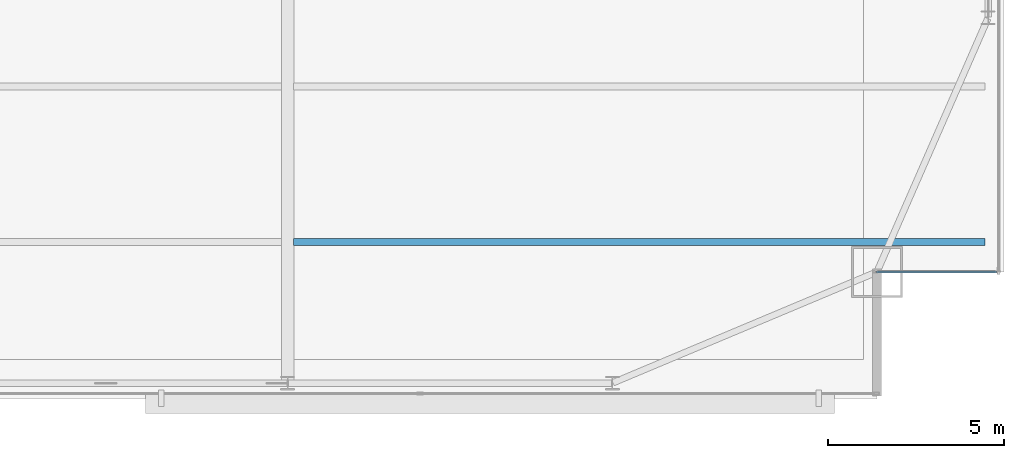
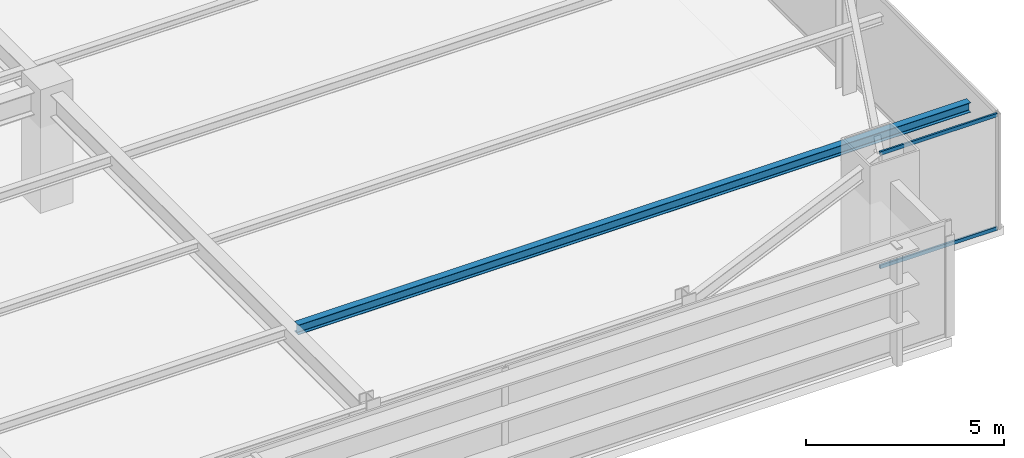
# One storey, part 15 of 32: 2 members, 1 beam, 1 element without a shape of its own.
"""IFC4 building model written with IfcOpenShell, lengths in metres."""

import ifcopenshell
import ifcopenshell.guid

model = None  # the IFC model being written
_history = None  # IfcOwnerHistory: only IFC2X3 demands one
_inside = {}  # id of a spatial element -> (the spatial element, [elements in it])
_under = {}  # id of a project, library or spatial element -> (it, [spatial elements below it])
_declared = {}  # id of a project -> (the project, [libraries it declares])
_typed = {}  # id of a type object -> (the type object, [elements of that type])
_made_of = {}  # id of a material, layer set ... -> (it, [elements and type objects made of it])


def new_model(schema):
    """Start an empty IFC model of exactly this schema.

    Asked for "IFC4X3", IfcOpenShell would pick the latest addendum, in which some entities
    have other attributes; the version numbers below select the first issue.
    IFC2X3 requires an IfcOwnerHistory on every rooted entity: one is made here for all.
    """
    global model, _history
    if schema == "IFC4X3":
        model = ifcopenshell.file(schema_version=(4, 3, 0, 0))
    else:
        model = ifcopenshell.file(schema=schema)
    _inside.clear()
    _under.clear()
    _declared.clear()
    _typed.clear()
    _made_of.clear()
    _history = None
    if model.schema == "IFC2X3":
        org = make("IfcOrganization", Name="unknown")
        user = make(
            "IfcPersonAndOrganization",
            ThePerson=make("IfcPerson", FamilyName="unknown"),
            TheOrganization=org,
        )
        app = make(
            "IfcApplication",
            ApplicationDeveloper=org,
            Version="unknown",
            ApplicationFullName="unknown",
            ApplicationIdentifier="unknown",
        )
        _history = make(
            "IfcOwnerHistory",
            OwningUser=user,
            OwningApplication=app,
            ChangeAction="ADDED",
            CreationDate=0,
        )
    return model


def make(cls, **values):
    """One entity of the class cls with the attributes given. An attribute that is None is left unset."""
    return model.create_entity(
        cls, **{name: value for name, value in values.items() if value is not None}
    )


def rooted(cls, **values):
    """An entity with a GlobalId (a new one), such as an element, a storey or a relation."""
    return make(cls, GlobalId=ifcopenshell.guid.new(), OwnerHistory=_history, **values)


def si_unit(unit_type, name, prefix=None):
    """IfcSIUnit, for example si_unit("LENGTHUNIT", "METRE", prefix="MILLI")."""
    return make("IfcSIUnit", UnitType=unit_type, Prefix=prefix, Name=name)


def assignment(units):
    """IfcUnitAssignment: the units of a project."""
    return None if units is None else make("IfcUnitAssignment", Units=units)


def point(xyz):
    """IfcCartesianPoint."""
    return None if xyz is None else make("IfcCartesianPoint", Coordinates=xyz)


def direction(xyz):
    """IfcDirection."""
    return None if xyz is None else make("IfcDirection", DirectionRatios=xyz)


def frame(location, z_axis=None, x_axis=None):
    """IfcAxis2Placement3D, a coordinate frame: its origin and axes. An axis left out is left unset."""
    return make(
        "IfcAxis2Placement3D",
        Location=point(location),
        Axis=direction(z_axis),
        RefDirection=direction(x_axis),
    )


def frame_2d(location, x_axis=None):
    """IfcAxis2Placement2D, a coordinate frame in the plane: its origin and x axis."""
    return make(
        "IfcAxis2Placement2D", Location=point(location), RefDirection=direction(x_axis)
    )


def origin():
    """The frame at (0, 0, 0) with its axes left unset."""
    return frame((0.0, 0.0, 0.0))


def origin_2d():
    """The frame at (0, 0) in the plane with its x axis left unset."""
    return frame_2d((0.0, 0.0))


def place(relative_to, where):
    """IfcLocalPlacement: puts the frame where relative to a parent placement (None: the world)."""
    return make(
        "IfcLocalPlacement", PlacementRelTo=relative_to, RelativePlacement=where
    )


def context(
    kind, dimensions, precision=None, world=None, true_north=None, identifier=None
):
    """IfcGeometricRepresentationContext, for example the 3D "Model" context."""
    return make(
        "IfcGeometricRepresentationContext",
        ContextIdentifier=identifier,
        ContextType=kind,
        CoordinateSpaceDimension=dimensions,
        Precision=precision,
        WorldCoordinateSystem=world,
        TrueNorth=true_north,
    )


def subcontext(parent, identifier, kind, view, scale=None):
    """IfcGeometricRepresentationSubContext, for example "Body" below "Model"."""
    return make(
        "IfcGeometricRepresentationSubContext",
        ContextIdentifier=identifier,
        ContextType=kind,
        ParentContext=parent,
        TargetScale=scale,
        TargetView=view,
    )


def project(units=None, contexts=None):
    """IfcProject with its units and contexts."""
    return rooted(
        "IfcProject",
        Name="project",
        RepresentationContexts=contexts,
        UnitsInContext=assignment(units),
    )


def spatial(cls, under=None, at=None, **own):
    """A site, building, storey or space (cls), placed at a placement, below another one or the project."""
    s = rooted(cls, ObjectPlacement=at, **own)
    if under is not None:
        _under.setdefault(under.id(), (under, []))[1].append(s)
    return s


def profile(cls, at=None, kind="AREA", **sizes):
    """A parametric profile (cls). Its sizes go by their IFC names, for example OverallWidth=200.0."""
    return make(cls, ProfileType=kind, Position=at, **sizes)


def hollow_rectangle(**sizes):
    """IfcRectangleHollowProfileDef."""
    return profile("IfcRectangleHollowProfileDef", **sizes)


def i_section(**sizes):
    """IfcIShapeProfileDef."""
    return profile("IfcIShapeProfileDef", **sizes)


def extrude(swept, where, along, depth):
    """IfcExtrudedAreaSolid: the profile swept, set in the frame where, extruded along a direction by depth."""
    return make(
        "IfcExtrudedAreaSolid",
        SweptArea=swept,
        Position=where,
        ExtrudedDirection=direction(along),
        Depth=depth,
    )


def shape(context_of_items, identifier, shape_type, items):
    """IfcShapeRepresentation: the items that make up one representation, for example the "Body"."""
    return make(
        "IfcShapeRepresentation",
        ContextOfItems=context_of_items,
        RepresentationIdentifier=identifier,
        RepresentationType=shape_type,
        Items=items,
    )


def source(mapping_origin, context_of_items, identifier, shape_type, items):
    """IfcRepresentationMap: a shape defined once, which mapped items show again and again."""
    return make(
        "IfcRepresentationMap",
        MappingOrigin=mapping_origin,
        MappedRepresentation=shape(context_of_items, identifier, shape_type, items),
    )


def transform(
    local_origin,
    x_axis=None,
    y_axis=None,
    z_axis=None,
    scale=None,
    scale2=None,
    scale3=None,
    uniform=True,
):
    """IfcCartesianTransformationOperator3D, or its non-uniform kind. x_axis, y_axis, z_axis: its Axis1, 2, 3."""
    if uniform:
        return make(
            "IfcCartesianTransformationOperator3D",
            Axis1=direction(x_axis),
            Axis2=direction(y_axis),
            LocalOrigin=point(local_origin),
            Scale=scale,
            Axis3=direction(z_axis),
        )
    return make(
        "IfcCartesianTransformationOperator3DnonUniform",
        Axis1=direction(x_axis),
        Axis2=direction(y_axis),
        LocalOrigin=point(local_origin),
        Scale=scale,
        Axis3=direction(z_axis),
        Scale2=scale2,
        Scale3=scale3,
    )


def mapped(mapping_source, mapping_target):
    """IfcMappedItem: shows the shape of a source again, moved by a transform."""
    return make(
        "IfcMappedItem", MappingSource=mapping_source, MappingTarget=mapping_target
    )


def material(Name=None, Category=None):
    """IfcMaterial."""
    return make("IfcMaterial", Name=Name, Category=Category)


def layer(
    of_material, thickness, ventilated=None, Name=None, Category=None, Priority=None
):
    """IfcMaterialLayer: one layer of a wall or slab, of a material (None: an air gap)."""
    return make(
        "IfcMaterialLayer",
        Material=of_material,
        LayerThickness=thickness,
        IsVentilated=ventilated,
        Name=Name,
        Category=Category,
        Priority=Priority,
    )


def layer_set(layers, Name=None):
    """IfcMaterialLayerSet."""
    return make("IfcMaterialLayerSet", MaterialLayers=layers, LayerSetName=Name)


def material_profile(
    of_material, cross_section, Name=None, Category=None, Priority=None
):
    """IfcMaterialProfile: a cross section and its material."""
    return make(
        "IfcMaterialProfile",
        Name=Name,
        Material=of_material,
        Profile=cross_section,
        Priority=Priority,
        Category=Category,
    )


def profile_set(profiles, Name=None, composite=None):
    """IfcMaterialProfileSet."""
    return make(
        "IfcMaterialProfileSet",
        Name=Name,
        MaterialProfiles=profiles,
        CompositeProfile=composite,
    )


def made_of(thing, what):
    """Note that an element or type object is made of a material, layer set ...; save() writes the relation."""
    if what is not None:
        _made_of.setdefault(what.id(), (what, []))[1].append(thing)
    return thing


def type_object(cls, material=None, **own):
    """A type object (cls), such as IfcWallType, which elements share."""
    return made_of(rooted(cls, **own), material)


def type_shapes(of_type, sources):
    """Give a type object the sources (RepresentationMaps) that its elements show as mapped items."""
    of_type.RepresentationMaps = sources


def element(
    cls,
    number,
    at=None,
    inside=None,
    cuts=None,
    type_object=None,
    material=None,
    context=None,
    identifier="Body",
    shape_type=None,
    held_by="IfcProductDefinitionShape",
    body=None,
    shapes=None,
    **own,
):
    """One element of the class cls, such as IfcWall. Its Tag is "e" and its number.

    at: its placement. inside: the storey or other place that contains it. cuts: it is an
    opening in that element (IfcRelVoidsElement). A single representation is given by context,
    identifier, shape_type and body (its items); several are given by shapes. held_by: the class
    of the entity that holds the representations. save() writes the other relations.
    """
    e = rooted(cls, Tag="e%d" % number, ObjectPlacement=at, **own)
    if body is not None:
        shapes = [shape(context, identifier, shape_type, body)]
    if shapes is not None:
        e.Representation = make(held_by, Representations=shapes)
    if inside is not None:
        _inside.setdefault(inside.id(), (inside, []))[1].append(e)
    if cuts is not None:
        rooted(
            "IfcRelVoidsElement", RelatingBuildingElement=cuts, RelatedOpeningElement=e
        )
    if type_object is not None:
        _typed.setdefault(type_object.id(), (type_object, []))[1].append(e)
    return made_of(e, material)


def aggregate(whole, parts):
    """IfcRelAggregates: a whole, such as a stair, and the parts it consists of."""
    return rooted("IfcRelAggregates", RelatingObject=whole, RelatedObjects=parts)


def save(model, path):
    """Write the relations noted so far, then the file.

    IfcRelAggregates (storeys below a building ...), IfcRelContainedInSpatialStructure (elements
    in a storey), IfcRelDefinesByType, IfcRelAssociatesMaterial and IfcRelDeclares: one each for
    every whole, place, type object, material and project.
    """
    for whole, parts in _under.values():
        aggregate(whole, parts)
    for where, things in _inside.values():
        rooted(
            "IfcRelContainedInSpatialStructure",
            RelatedElements=things,
            RelatingStructure=where,
        )
    for kind, things in _typed.values():
        rooted("IfcRelDefinesByType", RelatedObjects=things, RelatingType=kind)
    for what, things in _made_of.values():
        rooted("IfcRelAssociatesMaterial", RelatedObjects=things, RelatingMaterial=what)
    for by, libraries in _declared.values():
        rooted("IfcRelDeclares", RelatingContext=by, RelatedDefinitions=libraries)
    model.write(path)


model = new_model("IFC4")

# Units and contexts
model_context = context("Model", 3, precision=1e-05, world=origin(), true_north=direction((0.0, 1.0)))
body_context = subcontext(model_context, "Body", "Model", "MODEL_VIEW")
ifc_project = project(units=[si_unit("LENGTHUNIT", "METRE"), si_unit("AREAUNIT", "SQUARE_METRE"), si_unit("VOLUMEUNIT", "CUBIC_METRE"), si_unit("PLANEANGLEUNIT", "RADIAN"), si_unit("MASSUNIT", "GRAM", prefix="KILO")], contexts=[model_context])

# Site, building, storey
site_placement = place(None, origin())
site = spatial("IfcSite", under=ifc_project, at=site_placement, CompositionType="ELEMENT")
building_placement = place(site_placement, origin())
building = spatial("IfcBuilding", under=site, at=building_placement, Name="Varnel Quay Broadcast Tower", CompositionType="ELEMENT")
storey_placement = place(building_placement, frame((0.0, 0.0, 90.800048828125)))
storey = spatial("IfcBuildingStorey", under=building, at=storey_placement, Name="L21", CompositionType="ELEMENT", Elevation=90.800048828125)

# Beam
ifc_material_1 = material(Name="Structural Steel CSA G40.21 350W", Category="steel")
ifc_material_profile_1 = material_profile(ifc_material_1, i_section(OverallWidth=0.202880859375, OverallDepth=0.302978515625, WebThickness=0.007568359375, FlangeThickness=0.01318359375, FilletRadius=0.011962890625, at=origin_2d()), Name="W310X60")
ifc_profile_set_1 = profile_set([ifc_material_profile_1], Name="Structural Steel CSA G40.21 350W")
beam_type = type_object("IfcBeamType", Name="Beam_W310X60", PredefinedType="JOIST", material=ifc_profile_set_1)
shared_shape_1 = source(origin(), body_context, "Body", "SweptSolid", [
    extrude(i_section(OverallWidth=0.202880859375, OverallDepth=0.302978515625, WebThickness=0.007568359375, FlangeThickness=0.01318359375, FilletRadius=0.011962890625, at=origin_2d()), origin(), (0.0, 0.0, 1.0), 19.592041015625),
])
type_shapes(beam_type, [shared_shape_1])
beam_placement = place(storey_placement, frame((43.37255859375, 8.64990234375, 3.3984375), z_axis=(1.0, 0.0, 0.0), x_axis=(0.0, 1.0, 0.0)))
element("IfcBeam", 1, at=beam_placement, inside=storey, type_object=beam_type, Name="L21 East Floor Joist 1", PredefinedType="JOIST", context=body_context, shape_type="MappedRepresentation", body=[
    mapped(shared_shape_1, transform((0.0, 0.0, 0.0), x_axis=(1.0, 0.0, 0.0), y_axis=(0.0, 1.0, 0.0), z_axis=(0.0, 0.0, 1.0), scale=1.0)),
])

# Curtain wall, members
ifc_material_2 = material(Name="Anodised Bronze Aluminium 6063-T6", Category="aluminium")
ifc_layer = layer(ifc_material_2, 0.18994140625, Name="Anodised Bronze Aluminium 6063-T6")
ifc_layer_set = layer_set([ifc_layer], Name="Anodised Bronze Aluminium 6063-T6")
curtain_wall_type = type_object("IfcCurtainWallType", Name="CW_NotchCorner", PredefinedType="NOTDEFINED", material=ifc_layer_set)
curtain_wall_placement = place(storey_placement, origin())
curtain_wall = element("IfcCurtainWall", 2, at=curtain_wall_placement, inside=storey, type_object=curtain_wall_type, Name="L21 SE Notch Curtain Wall", PredefinedType="NOTDEFINED")
ifc_material_profile_2 = material_profile(ifc_material_2, hollow_rectangle(XDim=0.054931640625, YDim=0.110107421875, WallThickness=0.0029296875, at=origin_2d()), Name="ALU55X110X3")
ifc_profile_set_2 = profile_set([ifc_material_profile_2], Name="Anodised Bronze Aluminium 6063-T6")
member_type = type_object("IfcMemberType", Name="Tran_CWS-04", PredefinedType="USERDEFINED", material=ifc_profile_set_2)
shared_shape_2 = source(origin(), body_context, "Body", "SweptSolid", [
    extrude(hollow_rectangle(XDim=0.054931640625, YDim=0.110107421875, WallThickness=0.0029296875, at=origin_2d()), origin(), (0.0, 0.0, 1.0), 3.41015625),
])
type_shapes(member_type, [shared_shape_2])
member_1_placement = place(storey_placement, frame((59.8798828125, 7.800048828125, 0.02734375), z_axis=(1.0, 0.0, 0.0), x_axis=(0.0, 1.0, 0.0)))
member_1 = element("IfcMember", 3, at=member_1_placement, type_object=member_type, Name="CWS-04 transom 1.1", ObjectType="TRANSOM", PredefinedType="USERDEFINED", context=body_context, shape_type="MappedRepresentation", body=[
    mapped(shared_shape_2, transform((0.0, 0.0, 0.0), x_axis=(1.0, 0.0, 0.0), y_axis=(0.0, 1.0, 0.0), z_axis=(0.0, 0.0, 1.0), scale=1.0)),
])
member_2_placement = place(storey_placement, frame((59.8798828125, 7.800048828125, 3.5224609375), z_axis=(1.0, 0.0, 0.0), x_axis=(0.0, 1.0, 0.0)))
member_2 = element("IfcMember", 4, at=member_2_placement, type_object=member_type, Name="CWS-04 transom 1.2", ObjectType="TRANSOM", PredefinedType="USERDEFINED", context=body_context, shape_type="MappedRepresentation", body=[
    mapped(shared_shape_2, transform((0.0, 0.0, 0.0), x_axis=(1.0, 0.0, 0.0), y_axis=(0.0, 1.0, 0.0), z_axis=(0.0, 0.0, 1.0), scale=1.0)),
])
aggregate(curtain_wall, [member_1, member_2])

save(model, "model.ifc")
